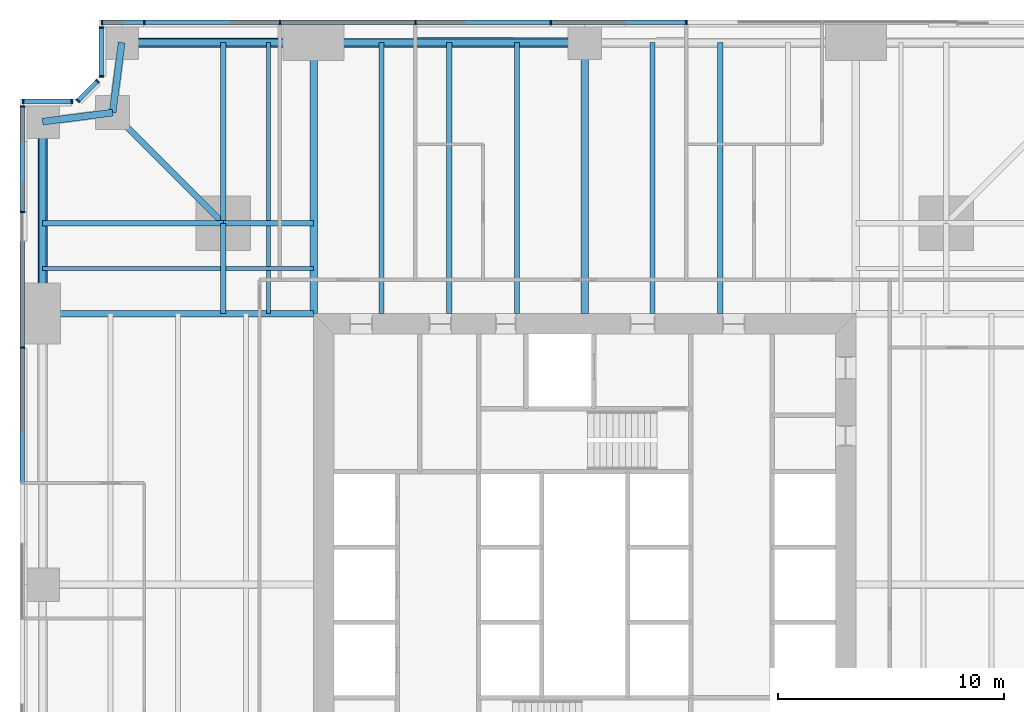
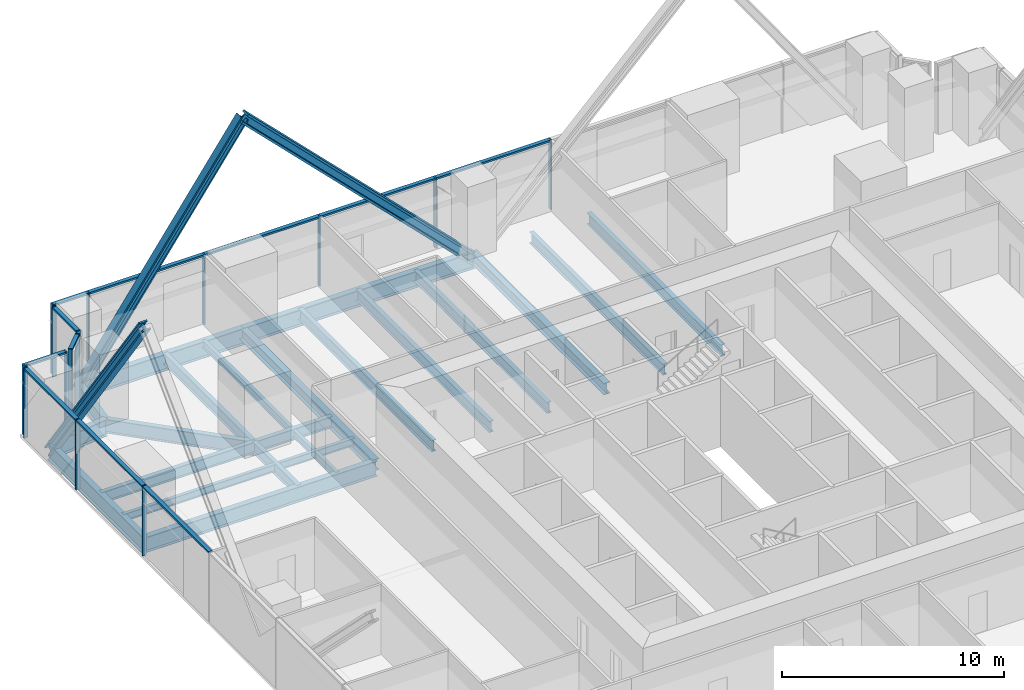
# One storey, part 6 of 13: 29 members, 23 beams, 5 elements without a shape of their own.
"""IFC4 building model written with IfcOpenShell, lengths in metres."""

from ifc_helpers import new_model, si_unit, direction, frame, origin, origin_2d, place, context, subcontext, project, spatial, rectangle, i_section, extrude, material, material_profile, profile_set, type_object, element, aggregate, save


model = new_model("IFC4")

# Units and contexts
model_context = context("Model", 3, precision=1e-05, world=origin(), true_north=direction((0.0, 1.0)))
body_context = subcontext(model_context, "Body", "Model", "MODEL_VIEW")
ifc_project = project(units=[si_unit("LENGTHUNIT", "METRE"), si_unit("AREAUNIT", "SQUARE_METRE"), si_unit("VOLUMEUNIT", "CUBIC_METRE"), si_unit("PLANEANGLEUNIT", "RADIAN"), si_unit("MASSUNIT", "GRAM", prefix="KILO")], contexts=[model_context])

# Site, building, storey
site_placement = place(None, origin())
site = spatial("IfcSite", under=ifc_project, at=site_placement, CompositionType="ELEMENT")
building_placement = place(site_placement, origin())
building = spatial("IfcBuilding", under=site, at=building_placement, Name="Fenwick Lantern Interchange", CompositionType="ELEMENT")
storey_placement = place(building_placement, frame((0.0, 0.0, 43.0)))
storey = spatial("IfcBuildingStorey", under=building, at=storey_placement, Name="L09", CompositionType="ELEMENT", Elevation=43.0)

# Beams
ifc_material_1 = material(Name="Steel ASTM A992 Grade 50", Category="steel")
ifc_material_profile_1 = material_profile(ifc_material_1, i_section(OverallWidth=0.3046875, OverallDepth=0.911865234375, WebThickness=0.015869140625, FlangeThickness=0.02392578125, at=origin_2d()), Name="W36X150")
ifc_profile_set_1 = profile_set([ifc_material_profile_1], Name="Steel ASTM A992 Grade 50")
beam_type_1 = type_object("IfcBeamType", Name="EDGE BEAM W36X150", PredefinedType="SPANDREL", material=ifc_profile_set_1)
beam_1_placement = place(storey_placement, frame((25.0, 49.0, -0.60595703125), z_axis=(-1.0, 0.0, 0.0), x_axis=(0.0, -1.0, 0.0)))
element("IfcBeam", 1, at=beam_1_placement, inside=storey, type_object=beam_type_1, Name="L09/FR/N/EB3", PredefinedType="SPANDREL", context=body_context, shape_type="SweptSolid", body=[
    extrude(i_section(OverallWidth=0.3046875, OverallDepth=0.911865234375, WebThickness=0.015869140625, FlangeThickness=0.02392578125, at=origin_2d()), origin(), (0.0, 0.0, 1.0), 12.0),
])
beam_2_placement = place(storey_placement, frame((13.0, 49.0, -0.60595703125), z_axis=(-1.0, 0.0, 0.0), x_axis=(0.0, -1.0, 0.0)))
element("IfcBeam", 2, at=beam_2_placement, inside=storey, type_object=beam_type_1, Name="L09/FR/N/EB4", PredefinedType="SPANDREL", context=body_context, shape_type="SweptSolid", body=[
    extrude(i_section(OverallWidth=0.3046875, OverallDepth=0.911865234375, WebThickness=0.015869140625, FlangeThickness=0.02392578125, at=origin_2d()), origin(), (0.0, 0.0, 1.0), 8.5),
])
for number, where, z_axis, x_axis, name in (
    (3, (4.5, 49.0, -0.60595703125), (-0.127936641807, -0.991782342897, 0.0), (0.991782342897, -0.127936641807, 0.0), "L09/FR/N/EBR1"),
    (4, (4.10009765625, 45.89990234375, -0.60595703125), (-0.991782342897, -0.127936641807, 0.0), (0.127936641807, -0.991782342897, 0.0), "L09/FR/N/EBR2"),
):
    element("IfcBeam", number, at=place(storey_placement, frame(where, z_axis=z_axis, x_axis=x_axis)), inside=storey, type_object=beam_type_1, Name=name, PredefinedType="SPANDREL", context=body_context, shape_type="SweptSolid", body=[
        extrude(i_section(OverallWidth=0.3046875, OverallDepth=0.911865234375, WebThickness=0.015869140625, FlangeThickness=0.02392578125, at=origin_2d()), origin(), (0.0, 0.0, 1.0), 3.125732421875),
    ])
beam_3_placement = place(storey_placement, frame((1.0, 45.5, -0.60595703125), z_axis=(0.0, -1.0, 0.0), x_axis=(1.0, 0.0, 0.0)))
element("IfcBeam", 5, at=beam_3_placement, inside=storey, type_object=beam_type_1, Name="L09/FR/W/EB1", PredefinedType="SPANDREL", context=body_context, shape_type="SweptSolid", body=[
    extrude(i_section(OverallWidth=0.3046875, OverallDepth=0.911865234375, WebThickness=0.015869140625, FlangeThickness=0.02392578125, at=origin_2d()), origin(), (0.0, 0.0, 1.0), 8.5),
])

# Members
ifc_material_profile_2 = material_profile(ifc_material_1, i_section(OverallWidth=0.424072265625, OverallDepth=0.47509765625, WebThickness=0.0478515625, FlangeThickness=0.0771484375, at=origin_2d()), Name="W14X426")
ifc_profile_set_2 = profile_set([ifc_material_profile_2], Name="Steel ASTM A992 Grade 50")
member_type_1 = type_object("IfcMemberType", Name="FACADE BRACE W14X426", PredefinedType="BRACE", material=ifc_profile_set_2)
for number, where, z_axis, x_axis, name in (
    (6, (4.5, 49.0, -0.60595703125), (0.57801734078, 0.0, 0.816024481102), (0.0, 1.0, 0.0), "L09/FB/N/BE"),
    (7, (1.0, 45.5, -0.60595703125), (0.0, -0.57801734078, 0.816024481102), (1.0, 0.0, 0.0), "L09/FB/W/AE"),
):
    element("IfcMember", number, at=place(storey_placement, frame(where, z_axis=z_axis, x_axis=x_axis)), inside=storey, type_object=member_type_1, Name=name, PredefinedType="BRACE", context=body_context, shape_type="SweptSolid", body=[
        extrude(i_section(OverallWidth=0.424072265625, OverallDepth=0.47509765625, WebThickness=0.0478515625, FlangeThickness=0.0771484375, at=origin_2d()), origin(), (0.0, 0.0, 1.0), 14.705322265625),
    ])
ifc_material_profile_3 = material_profile(ifc_material_1, i_section(OverallWidth=0.44189453125, OverallDepth=0.53076171875, WebThickness=0.06591796875, FlangeThickness=0.105712890625, at=origin_2d()), Name="W14X605")
ifc_profile_set_3 = profile_set([ifc_material_profile_3], Name="Steel ASTM A992 Grade 50")
member_type_2 = type_object("IfcMemberType", Name="FACADE BRACE W14X605", PredefinedType="BRACE", material=ifc_profile_set_3)
member_1_placement = place(storey_placement, frame((25.0, 49.0, -0.60595703125), z_axis=(-0.707106781187, 0.0, 0.707106781187), x_axis=(0.0, -1.0, 0.0)))
element("IfcMember", 8, at=member_1_placement, inside=storey, type_object=member_type_2, Name="L09/FB/N/B", PredefinedType="BRACE", context=body_context, shape_type="SweptSolid", body=[
    extrude(i_section(OverallWidth=0.44189453125, OverallDepth=0.53076171875, WebThickness=0.06591796875, FlangeThickness=0.105712890625, at=origin_2d()), origin(), (0.0, 0.0, 1.0), 16.970458984375),
])

# Beams
ifc_material_profile_4 = material_profile(ifc_material_1, i_section(OverallWidth=0.22900390625, OverallDepth=0.612060546875, WebThickness=0.011962890625, FlangeThickness=0.01953125, at=origin_2d()), Name="W24X84")
ifc_profile_set_4 = profile_set([ifc_material_profile_4], Name="Steel ASTM A992 Grade 50")
beam_type_2 = type_object("IfcBeamType", Name="FLOOR BEAM W24X84", PredefinedType="BEAM", material=ifc_profile_set_4)
for number, where, z_axis, x_axis, name in (
    (9, (31.0, 49.0, -0.4560546875), (0.0, -1.0, 0.0), (1.0, 0.0, 0.0), "L09/FR/N/R03"),
    (10, (28.0, 49.0, -0.4560546875), (0.0, -1.0, 0.0), (1.0, 0.0, 0.0), "L09/FR/N/R04"),
    (11, (22.0, 49.0, -0.4560546875), (0.0, -1.0, 0.0), (1.0, 0.0, 0.0), "L09/FR/N/R06"),
    (12, (19.0, 49.0, -0.4560546875), (0.0, -1.0, 0.0), (1.0, 0.0, 0.0), "L09/FR/N/R07"),
    (13, (16.0, 49.0, -0.4560546875), (0.0, -1.0, 0.0), (1.0, 0.0, 0.0), "L09/FR/N/R08"),
):
    element("IfcBeam", number, at=place(storey_placement, frame(where, z_axis=z_axis, x_axis=x_axis)), inside=storey, type_object=beam_type_2, Name=name, PredefinedType="BEAM", context=body_context, shape_type="SweptSolid", body=[
        extrude(i_section(OverallWidth=0.22900390625, OverallDepth=0.612060546875, WebThickness=0.011962890625, FlangeThickness=0.01953125, at=origin_2d()), origin(), (0.0, 0.0, 1.0), 12.0),
    ])
ifc_material_profile_5 = material_profile(ifc_material_1, i_section(OverallWidth=0.177734375, OverallDepth=0.406494140625, WebThickness=0.0078125, FlangeThickness=0.012939453125, at=origin_2d()), Name="W16X40")
ifc_profile_set_5 = profile_set([ifc_material_profile_5], Name="Steel ASTM A992 Grade 50")
beam_type_3 = type_object("IfcBeamType", Name="INFILL BEAM W16X40", PredefinedType="JOIST", material=ifc_profile_set_5)
beam_4_placement = place(storey_placement, frame((1.0, 39.0, -0.353271484375), z_axis=(1.0, 0.0, 0.0), x_axis=(0.0, 1.0, 0.0)))
element("IfcBeam", 14, at=beam_4_placement, inside=storey, type_object=beam_type_3, Name="L09/FR/W/J1", PredefinedType="JOIST", context=body_context, shape_type="SweptSolid", body=[
    extrude(i_section(OverallWidth=0.177734375, OverallDepth=0.406494140625, WebThickness=0.0078125, FlangeThickness=0.012939453125, at=origin_2d()), origin(), (0.0, 0.0, 1.0), 7.885498046875),
])
beam_5_placement = place(storey_placement, frame((9.114501953125, 39.0, -0.353271484375), z_axis=(1.0, 0.0, 0.0), x_axis=(0.0, 1.0, 0.0)))
element("IfcBeam", 15, at=beam_5_placement, inside=storey, type_object=beam_type_3, Name="L09/FR/W/J2", PredefinedType="JOIST", context=body_context, shape_type="SweptSolid", body=[
    extrude(i_section(OverallWidth=0.177734375, OverallDepth=0.406494140625, WebThickness=0.0078125, FlangeThickness=0.012939453125, at=origin_2d()), origin(), (0.0, 0.0, 1.0), 3.885498046875),
])
beam_6_placement = place(storey_placement, frame((11.0, 49.0, -0.353271484375), z_axis=(0.0, -1.0, 0.0), x_axis=(1.0, 0.0, 0.0)))
element("IfcBeam", 16, at=beam_6_placement, inside=storey, type_object=beam_type_3, Name="L09/FR/W/J3", PredefinedType="JOIST", context=body_context, shape_type="SweptSolid", body=[
    extrude(i_section(OverallWidth=0.177734375, OverallDepth=0.406494140625, WebThickness=0.0078125, FlangeThickness=0.012939453125, at=origin_2d()), origin(), (0.0, 0.0, 1.0), 7.885498046875),
])
beam_7_placement = place(storey_placement, frame((11.0, 40.885498046875, -0.353271484375), z_axis=(0.0, -1.0, 0.0), x_axis=(1.0, 0.0, 0.0)))
element("IfcBeam", 17, at=beam_7_placement, inside=storey, type_object=beam_type_3, Name="L09/FR/W/J4", PredefinedType="JOIST", context=body_context, shape_type="SweptSolid", body=[
    extrude(i_section(OverallWidth=0.177734375, OverallDepth=0.406494140625, WebThickness=0.0078125, FlangeThickness=0.012939453125, at=origin_2d()), origin(), (0.0, 0.0, 1.0), 1.796630859375),
])
beam_8_placement = place(storey_placement, frame((11.0, 38.9111328125, -0.353271484375), z_axis=(0.0, -1.0, 0.0), x_axis=(1.0, 0.0, 0.0)))
element("IfcBeam", 18, at=beam_8_placement, inside=storey, type_object=beam_type_3, Name="L09/FR/W/J5", PredefinedType="JOIST", context=body_context, shape_type="SweptSolid", body=[
    extrude(i_section(OverallWidth=0.177734375, OverallDepth=0.406494140625, WebThickness=0.0078125, FlangeThickness=0.012939453125, at=origin_2d()), origin(), (0.0, 0.0, 1.0), 1.9111328125),
])
ifc_material_profile_6 = material_profile(ifc_material_1, i_section(OverallWidth=0.22900390625, OverallDepth=0.612060546875, WebThickness=0.011962890625, FlangeThickness=0.01953125, at=origin_2d()), Name="W24X84")
ifc_profile_set_6 = profile_set([ifc_material_profile_6], Name="Steel ASTM A992 Grade 50")
beam_type_4 = type_object("IfcBeamType", Name="MEGA COLUMN BEAM W24X84", PredefinedType="BEAM", material=ifc_profile_set_6)
for number, where, z_axis, x_axis, name in (
    (19, (9.0, 41.0, -0.4560546875), (-1.0, 0.0, 0.0), (0.0, -1.0, 0.0), "L09/FR/W/MB1"),
    (20, (9.0, 41.0, -0.4560546875), (0.0, 1.0, 0.0), (-1.0, 0.0, 0.0), "L09/FR/W/MB2"),
):
    element("IfcBeam", number, at=place(storey_placement, frame(where, z_axis=z_axis, x_axis=x_axis)), inside=storey, type_object=beam_type_4, Name=name, PredefinedType="BEAM", context=body_context, shape_type="SweptSolid", body=[
        extrude(i_section(OverallWidth=0.22900390625, OverallDepth=0.612060546875, WebThickness=0.011962890625, FlangeThickness=0.01953125, at=origin_2d()), origin(), (0.0, 0.0, 1.0), 8.0),
    ])
for number, where, z_axis, x_axis, name in (
    (21, (9.0, 41.0, -0.4560546875), (0.0, -1.0, 0.0), (1.0, 0.0, 0.0), "L09/FR/W/MB3"),
    (22, (9.0, 41.0, -0.4560546875), (1.0, 0.0, 0.0), (0.0, 1.0, 0.0), "L09/FR/W/MB4"),
):
    element("IfcBeam", number, at=place(storey_placement, frame(where, z_axis=z_axis, x_axis=x_axis)), inside=storey, type_object=beam_type_4, Name=name, PredefinedType="BEAM", context=body_context, shape_type="SweptSolid", body=[
        extrude(i_section(OverallWidth=0.22900390625, OverallDepth=0.612060546875, WebThickness=0.011962890625, FlangeThickness=0.01953125, at=origin_2d()), origin(), (0.0, 0.0, 1.0), 4.0),
    ])
ifc_material_profile_7 = material_profile(ifc_material_1, i_section(OverallWidth=0.32763671875, OverallDepth=0.622314453125, WebThickness=0.015380859375, FlangeThickness=0.0244140625, at=origin_2d()), Name="W24X131")
ifc_profile_set_7 = profile_set([ifc_material_profile_7], Name="Steel ASTM A992 Grade 50")
beam_type_5 = type_object("IfcBeamType", Name="MOMENT-CONNECTED GIRDER W24X131", PredefinedType="BEAM", material=ifc_profile_set_7)
for number, where, z_axis, x_axis, name in (
    (23, (25.0, 49.0, -0.461181640625), (0.0, -1.0, 0.0), (1.0, 0.0, 0.0), "L09/FR/N/R05"),
    (24, (13.0, 49.0, -0.461181640625), (0.0, -1.0, 0.0), (1.0, 0.0, 0.0), "L09/FR/N/R09"),
):
    element("IfcBeam", number, at=place(storey_placement, frame(where, z_axis=z_axis, x_axis=x_axis)), inside=storey, type_object=beam_type_5, Name=name, PredefinedType="BEAM", context=body_context, shape_type="SweptSolid", body=[
        extrude(i_section(OverallWidth=0.32763671875, OverallDepth=0.622314453125, WebThickness=0.015380859375, FlangeThickness=0.0244140625, at=origin_2d()), origin(), (0.0, 0.0, 1.0), 12.0),
    ])
ifc_material_profile_8 = material_profile(ifc_material_1, i_section(OverallWidth=0.2919921875, OverallDepth=0.845703125, WebThickness=0.015380859375, FlangeThickness=0.0244140625, at=origin_2d()), Name="W33X141")
ifc_profile_set_8 = profile_set([ifc_material_profile_8], Name="Steel ASTM A992 Grade 50")
beam_type_6 = type_object("IfcBeamType", Name="MOMENT-CONNECTED GIRDER W33X141", PredefinedType="BEAM", material=ifc_profile_set_8)
beam_9_placement = place(storey_placement, frame((1.0, 37.0, -0.572998046875), z_axis=(1.0, 0.0, 0.0), x_axis=(0.0, 1.0, 0.0)))
element("IfcBeam", 25, at=beam_9_placement, inside=storey, type_object=beam_type_6, Name="L09/FR/W/R01", PredefinedType="BEAM", context=body_context, shape_type="SweptSolid", body=[
    extrude(i_section(OverallWidth=0.2919921875, OverallDepth=0.845703125, WebThickness=0.015380859375, FlangeThickness=0.0244140625, at=origin_2d()), origin(), (0.0, 0.0, 1.0), 12.0),
])
ifc_material_profile_9 = material_profile(ifc_material_1, i_section(OverallWidth=0.2666015625, OverallDepth=0.7568359375, WebThickness=0.013916015625, FlangeThickness=0.019287109375, at=origin_2d()), Name="W30X108")
ifc_profile_set_9 = profile_set([ifc_material_profile_9], Name="Steel ASTM A992 Grade 50")
beam_type_7 = type_object("IfcBeamType", Name="NOTCH BEAM W30X108", PredefinedType="BEAM", material=ifc_profile_set_9)
beam_10_placement = place(storey_placement, frame((9.0, 41.0, -0.528564453125), z_axis=(-0.707106781187, 0.707106781187, 0.0), x_axis=(-0.707106781187, -0.707106781187, 0.0)))
element("IfcBeam", 26, at=beam_10_placement, inside=storey, type_object=beam_type_7, Name="L09/FR/W/TG", PredefinedType="BEAM", context=body_context, shape_type="SweptSolid", body=[
    extrude(i_section(OverallWidth=0.2666015625, OverallDepth=0.7568359375, WebThickness=0.013916015625, FlangeThickness=0.019287109375, at=origin_2d()), origin(), (0.0, 0.0, 1.0), 6.929443359375),
])

# Curtain wall, members
ifc_material_2 = material(Name="Aluminium curtain wall frame", Category="aluminium")
curtain_wall_type = type_object("IfcCurtainWallType", Name="OFFICE CURTAIN WALL", PredefinedType="USERDEFINED", material=ifc_material_2)
curtain_wall_1_placement = place(storey_placement, origin())
curtain_wall_1 = element("IfcCurtainWall", 27, at=curtain_wall_1_placement, inside=storey, type_object=curtain_wall_type, Name="Office curtain wall 09", ObjectType="OFFICE CURTAIN WALL", PredefinedType="USERDEFINED")
ifc_material_3 = material(Name="Aluminium extrusion", Category="aluminium")
ifc_material_profile_10 = material_profile(ifc_material_3, rectangle(XDim=0.199951171875, YDim=0.06494140625, at=origin_2d()), Name="OFFICE CURTAIN WALL MULLION 65 X 200")
ifc_profile_set_10 = profile_set([ifc_material_profile_10], Name="Aluminium extrusion")
member_type_3 = type_object("IfcMemberType", Name="OFFICE CURTAIN WALL MULLION 65 X 200", PredefinedType="MULLION", material=ifc_profile_set_10)
member_2_placement = place(storey_placement, frame((29.5, 49.89990234375, 0.0), z_axis=(0.0, 0.0, 1.0), x_axis=(0.0, -1.0, 0.0)))
member_2 = element("IfcMember", 28, at=member_2_placement, type_object=member_type_3, Name="L09/CW/09/M03", PredefinedType="MULLION", context=body_context, shape_type="SweptSolid", body=[
    extrude(rectangle(XDim=0.199951171875, YDim=0.06494140625, at=origin_2d()), origin(), (0.0, 0.0, 1.0), 3.85009765625),
])
member_3_placement = place(storey_placement, frame((23.5, 49.89990234375, 0.0), z_axis=(0.0, 0.0, 1.0), x_axis=(0.0, -1.0, 0.0)))
member_3 = element("IfcMember", 29, at=member_3_placement, type_object=member_type_3, Name="L09/CW/09/M04", PredefinedType="MULLION", context=body_context, shape_type="SweptSolid", body=[
    extrude(rectangle(XDim=0.199951171875, YDim=0.06494140625, at=origin_2d()), origin(), (0.0, 0.0, 1.0), 3.85009765625),
])
member_4_placement = place(storey_placement, frame((17.5, 49.89990234375, 0.0), z_axis=(0.0, 0.0, 1.0), x_axis=(0.0, -1.0, 0.0)))
member_4 = element("IfcMember", 30, at=member_4_placement, type_object=member_type_3, Name="L09/CW/09/M05", PredefinedType="MULLION", context=body_context, shape_type="SweptSolid", body=[
    extrude(rectangle(XDim=0.199951171875, YDim=0.06494140625, at=origin_2d()), origin(), (0.0, 0.0, 1.0), 3.85009765625),
])
member_5_placement = place(storey_placement, frame((11.5, 49.89990234375, 0.0), z_axis=(0.0, 0.0, 1.0), x_axis=(0.0, -1.0, 0.0)))
member_5 = element("IfcMember", 31, at=member_5_placement, type_object=member_type_3, Name="L09/CW/09/M06", PredefinedType="MULLION", context=body_context, shape_type="SweptSolid", body=[
    extrude(rectangle(XDim=0.199951171875, YDim=0.06494140625, at=origin_2d()), origin(), (0.0, 0.0, 1.0), 3.85009765625),
])
member_6_placement = place(storey_placement, frame((5.5, 49.89990234375, 0.0), z_axis=(0.0, 0.0, 1.0), x_axis=(0.0, -1.0, 0.0)))
member_6 = element("IfcMember", 32, at=member_6_placement, type_object=member_type_3, Name="L09/CW/09/M07", PredefinedType="MULLION", context=body_context, shape_type="SweptSolid", body=[
    extrude(rectangle(XDim=0.199951171875, YDim=0.06494140625, at=origin_2d()), origin(), (0.0, 0.0, 1.0), 3.85009765625),
])
member_7_placement = place(storey_placement, frame((3.632568359375, 49.89990234375, 0.0), z_axis=(0.0, 0.0, 1.0), x_axis=(0.0, -1.0, 0.0)))
member_7 = element("IfcMember", 33, at=member_7_placement, type_object=member_type_3, Name="L09/CW/09/M08", PredefinedType="MULLION", context=body_context, shape_type="SweptSolid", body=[
    extrude(rectangle(XDim=0.199951171875, YDim=0.06494140625, at=origin_2d()), origin(), (0.0, 0.0, 1.0), 3.85009765625),
])

curtain_wall_2_placement = place(storey_placement, origin())
curtain_wall_2 = element("IfcCurtainWall", 34, at=curtain_wall_2_placement, inside=storey, type_object=curtain_wall_type, Name="Office curtain wall 10", ObjectType="OFFICE CURTAIN WALL", PredefinedType="USERDEFINED")
member_8_placement = place(storey_placement, frame((3.60009765625, 49.66748046875, 0.0), z_axis=(0.0, 0.0, 1.0), x_axis=(1.0, 0.0, 0.0)))
member_8 = element("IfcMember", 35, at=member_8_placement, type_object=member_type_3, Name="L09/CW/10/M00", PredefinedType="MULLION", context=body_context, shape_type="SweptSolid", body=[
    extrude(rectangle(XDim=0.199951171875, YDim=0.06494140625, at=origin_2d()), origin(), (0.0, 0.0, 1.0), 3.85009765625),
])
member_9_placement = place(storey_placement, frame((3.60009765625, 47.490966796875, 0.0), z_axis=(0.0, 0.0, 1.0), x_axis=(1.0, 0.0, 0.0)))
member_9 = element("IfcMember", 36, at=member_9_placement, type_object=member_type_3, Name="L09/CW/10/M01", PredefinedType="MULLION", context=body_context, shape_type="SweptSolid", body=[
    extrude(rectangle(XDim=0.199951171875, YDim=0.06494140625, at=origin_2d()), origin(), (0.0, 0.0, 1.0), 3.85009765625),
])

curtain_wall_3_placement = place(storey_placement, origin())
curtain_wall_3 = element("IfcCurtainWall", 37, at=curtain_wall_3_placement, inside=storey, type_object=curtain_wall_type, Name="Office curtain wall 11", ObjectType="OFFICE CURTAIN WALL", PredefinedType="USERDEFINED")
member_10_placement = place(storey_placement, frame((3.435546875, 47.294189453125, 0.0), z_axis=(0.0, 0.0, 1.0), x_axis=(0.707106781187, -0.707106781187, 0.0)))
member_10 = element("IfcMember", 38, at=member_10_placement, type_object=member_type_3, Name="L09/CW/11/M00", PredefinedType="MULLION", context=body_context, shape_type="SweptSolid", body=[
    extrude(rectangle(XDim=0.199951171875, YDim=0.06494140625, at=origin_2d()), origin(), (0.0, 0.0, 1.0), 3.85009765625),
])
member_11_placement = place(storey_placement, frame((2.564453125, 46.423095703125, 0.0), z_axis=(0.0, 0.0, 1.0), x_axis=(0.707106781187, -0.707106781187, 0.0)))
member_11 = element("IfcMember", 39, at=member_11_placement, type_object=member_type_3, Name="L09/CW/11/M01", PredefinedType="MULLION", context=body_context, shape_type="SweptSolid", body=[
    extrude(rectangle(XDim=0.199951171875, YDim=0.06494140625, at=origin_2d()), origin(), (0.0, 0.0, 1.0), 3.85009765625),
])

curtain_wall_4_placement = place(storey_placement, origin())
curtain_wall_4 = element("IfcCurtainWall", 40, at=curtain_wall_4_placement, inside=storey, type_object=curtain_wall_type, Name="Office curtain wall 12", ObjectType="OFFICE CURTAIN WALL", PredefinedType="USERDEFINED")
member_12_placement = place(storey_placement, frame((2.308837890625, 46.39990234375, 0.0), z_axis=(0.0, 0.0, 1.0), x_axis=(0.0, -1.0, 0.0)))
member_12 = element("IfcMember", 41, at=member_12_placement, type_object=member_type_3, Name="L09/CW/12/M00", PredefinedType="MULLION", context=body_context, shape_type="SweptSolid", body=[
    extrude(rectangle(XDim=0.199951171875, YDim=0.06494140625, at=origin_2d()), origin(), (0.0, 0.0, 1.0), 3.85009765625),
])
member_13_placement = place(storey_placement, frame((0.132568359375, 46.39990234375, 0.0), z_axis=(0.0, 0.0, 1.0), x_axis=(0.0, -1.0, 0.0)))
member_13 = element("IfcMember", 42, at=member_13_placement, type_object=member_type_3, Name="L09/CW/12/M01", PredefinedType="MULLION", context=body_context, shape_type="SweptSolid", body=[
    extrude(rectangle(XDim=0.199951171875, YDim=0.06494140625, at=origin_2d()), origin(), (0.0, 0.0, 1.0), 3.85009765625),
])

curtain_wall_5_placement = place(storey_placement, origin())
curtain_wall_5 = element("IfcCurtainWall", 43, at=curtain_wall_5_placement, inside=storey, type_object=curtain_wall_type, Name="Office curtain wall 13", ObjectType="OFFICE CURTAIN WALL", PredefinedType="USERDEFINED")
member_14_placement = place(storey_placement, frame((0.10009765625, 46.16748046875, 0.0), z_axis=(0.0, 0.0, 1.0), x_axis=(1.0, 0.0, 0.0)))
member_14 = element("IfcMember", 44, at=member_14_placement, type_object=member_type_3, Name="L09/CW/13/M00", PredefinedType="MULLION", context=body_context, shape_type="SweptSolid", body=[
    extrude(rectangle(XDim=0.199951171875, YDim=0.06494140625, at=origin_2d()), origin(), (0.0, 0.0, 1.0), 3.85009765625),
])
member_15_placement = place(storey_placement, frame((0.10009765625, 41.5, 0.0), z_axis=(0.0, 0.0, 1.0), x_axis=(1.0, 0.0, 0.0)))
member_15 = element("IfcMember", 45, at=member_15_placement, type_object=member_type_3, Name="L09/CW/13/M01", PredefinedType="MULLION", context=body_context, shape_type="SweptSolid", body=[
    extrude(rectangle(XDim=0.199951171875, YDim=0.06494140625, at=origin_2d()), origin(), (0.0, 0.0, 1.0), 3.85009765625),
])
member_16_placement = place(storey_placement, frame((0.10009765625, 35.5, 0.0), z_axis=(0.0, 0.0, 1.0), x_axis=(1.0, 0.0, 0.0)))
member_16 = element("IfcMember", 46, at=member_16_placement, type_object=member_type_3, Name="L09/CW/13/M02", PredefinedType="MULLION", context=body_context, shape_type="SweptSolid", body=[
    extrude(rectangle(XDim=0.199951171875, YDim=0.06494140625, at=origin_2d()), origin(), (0.0, 0.0, 1.0), 3.85009765625),
])

# Member
ifc_material_profile_11 = material_profile(ifc_material_3, rectangle(XDim=0.199951171875, YDim=0.10009765625, at=origin_2d()), Name="OFFICE CURTAIN WALL TRANSOM 100 X 200")
ifc_profile_set_11 = profile_set([ifc_material_profile_11], Name="Aluminium extrusion")
member_type_4 = type_object("IfcMemberType", Name="OFFICE CURTAIN WALL TRANSOM 100 X 200", PredefinedType="MULLION", material=ifc_profile_set_11)
member_17_placement = place(storey_placement, frame((29.467529296875, 49.89990234375, 3.800048828125), z_axis=(-1.0, 0.0, 0.0), x_axis=(0.0, -1.0, 0.0)))
member_17 = element("IfcMember", 47, at=member_17_placement, type_object=member_type_4, Name="L09/CW/09/T03", PredefinedType="MULLION", context=body_context, shape_type="SweptSolid", body=[
    extrude(rectangle(XDim=0.199951171875, YDim=0.10009765625, at=origin_2d()), origin(), (0.0, 0.0, 1.0), 5.93505859375),
])

member_18_placement = place(storey_placement, frame((23.467529296875, 49.89990234375, 3.800048828125), z_axis=(-1.0, 0.0, 0.0), x_axis=(0.0, -1.0, 0.0)))
member_18 = element("IfcMember", 48, at=member_18_placement, type_object=member_type_4, Name="L09/CW/09/T04", PredefinedType="MULLION", context=body_context, shape_type="SweptSolid", body=[
    extrude(rectangle(XDim=0.199951171875, YDim=0.10009765625, at=origin_2d()), origin(), (0.0, 0.0, 1.0), 5.93505859375),
])

member_19_placement = place(storey_placement, frame((17.467529296875, 49.89990234375, 3.800048828125), z_axis=(-1.0, 0.0, 0.0), x_axis=(0.0, -1.0, 0.0)))
member_19 = element("IfcMember", 49, at=member_19_placement, type_object=member_type_4, Name="L09/CW/09/T05", PredefinedType="MULLION", context=body_context, shape_type="SweptSolid", body=[
    extrude(rectangle(XDim=0.199951171875, YDim=0.10009765625, at=origin_2d()), origin(), (0.0, 0.0, 1.0), 5.93505859375),
])

member_20_placement = place(storey_placement, frame((11.467529296875, 49.89990234375, 3.800048828125), z_axis=(-1.0, 0.0, 0.0), x_axis=(0.0, -1.0, 0.0)))
member_20 = element("IfcMember", 50, at=member_20_placement, type_object=member_type_4, Name="L09/CW/09/T06", PredefinedType="MULLION", context=body_context, shape_type="SweptSolid", body=[
    extrude(rectangle(XDim=0.199951171875, YDim=0.10009765625, at=origin_2d()), origin(), (0.0, 0.0, 1.0), 5.93505859375),
])

member_21_placement = place(storey_placement, frame((5.467529296875, 49.89990234375, 3.800048828125), z_axis=(-1.0, 0.0, 0.0), x_axis=(0.0, -1.0, 0.0)))
member_21 = element("IfcMember", 51, at=member_21_placement, type_object=member_type_4, Name="L09/CW/09/T07", PredefinedType="MULLION", context=body_context, shape_type="SweptSolid", body=[
    extrude(rectangle(XDim=0.199951171875, YDim=0.10009765625, at=origin_2d()), origin(), (0.0, 0.0, 1.0), 1.802490234375),
])

aggregate(curtain_wall_1, [member_2, member_3, member_4, member_5, member_6, member_7, member_17, member_18, member_19, member_20, member_21])

member_22_placement = place(storey_placement, frame((3.60009765625, 49.635009765625, 3.800048828125), z_axis=(0.0, -1.0, 0.0), x_axis=(1.0, 0.0, 0.0)))
member_22 = element("IfcMember", 52, at=member_22_placement, type_object=member_type_4, Name="L09/CW/10/T00", PredefinedType="MULLION", context=body_context, shape_type="SweptSolid", body=[
    extrude(rectangle(XDim=0.199951171875, YDim=0.10009765625, at=origin_2d()), origin(), (0.0, 0.0, 1.0), 2.111328125),
])

aggregate(curtain_wall_2, [member_8, member_9, member_22])

member_23_placement = place(storey_placement, frame((3.41259765625, 47.271240234375, 3.800048828125), z_axis=(-0.707106781187, -0.707106781187, 0.0), x_axis=(0.707106781187, -0.707106781187, 0.0)))
member_23 = element("IfcMember", 53, at=member_23_placement, type_object=member_type_4, Name="L09/CW/11/T00", PredefinedType="MULLION", context=body_context, shape_type="SweptSolid", body=[
    extrude(rectangle(XDim=0.199951171875, YDim=0.10009765625, at=origin_2d()), origin(), (0.0, 0.0, 1.0), 1.1669921875),
])

aggregate(curtain_wall_3, [member_10, member_11, member_23])

member_24_placement = place(storey_placement, frame((2.2763671875, 46.39990234375, 3.800048828125), z_axis=(-1.0, 0.0, 0.0), x_axis=(0.0, -1.0, 0.0)))
member_24 = element("IfcMember", 54, at=member_24_placement, type_object=member_type_4, Name="L09/CW/12/T00", PredefinedType="MULLION", context=body_context, shape_type="SweptSolid", body=[
    extrude(rectangle(XDim=0.199951171875, YDim=0.10009765625, at=origin_2d()), origin(), (0.0, 0.0, 1.0), 2.111328125),
])

aggregate(curtain_wall_4, [member_12, member_13, member_24])

member_25_placement = place(storey_placement, frame((0.10009765625, 46.135009765625, 3.800048828125), z_axis=(0.0, -1.0, 0.0), x_axis=(1.0, 0.0, 0.0)))
member_25 = element("IfcMember", 55, at=member_25_placement, type_object=member_type_4, Name="L09/CW/13/T00", PredefinedType="MULLION", context=body_context, shape_type="SweptSolid", body=[
    extrude(rectangle(XDim=0.199951171875, YDim=0.10009765625, at=origin_2d()), origin(), (0.0, 0.0, 1.0), 4.6025390625),
])

member_26_placement = place(storey_placement, frame((0.10009765625, 41.467529296875, 3.800048828125), z_axis=(0.0, -1.0, 0.0), x_axis=(1.0, 0.0, 0.0)))
member_26 = element("IfcMember", 56, at=member_26_placement, type_object=member_type_4, Name="L09/CW/13/T01", PredefinedType="MULLION", context=body_context, shape_type="SweptSolid", body=[
    extrude(rectangle(XDim=0.199951171875, YDim=0.10009765625, at=origin_2d()), origin(), (0.0, 0.0, 1.0), 5.93505859375),
])

member_27_placement = place(storey_placement, frame((0.10009765625, 35.467529296875, 3.800048828125), z_axis=(0.0, -1.0, 0.0), x_axis=(1.0, 0.0, 0.0)))
member_27 = element("IfcMember", 57, at=member_27_placement, type_object=member_type_4, Name="L09/CW/13/T02", PredefinedType="MULLION", context=body_context, shape_type="SweptSolid", body=[
    extrude(rectangle(XDim=0.199951171875, YDim=0.10009765625, at=origin_2d()), origin(), (0.0, 0.0, 1.0), 5.93505859375),
])

aggregate(curtain_wall_5, [member_14, member_15, member_16, member_25, member_26, member_27])

save(model, "model.ifc")
